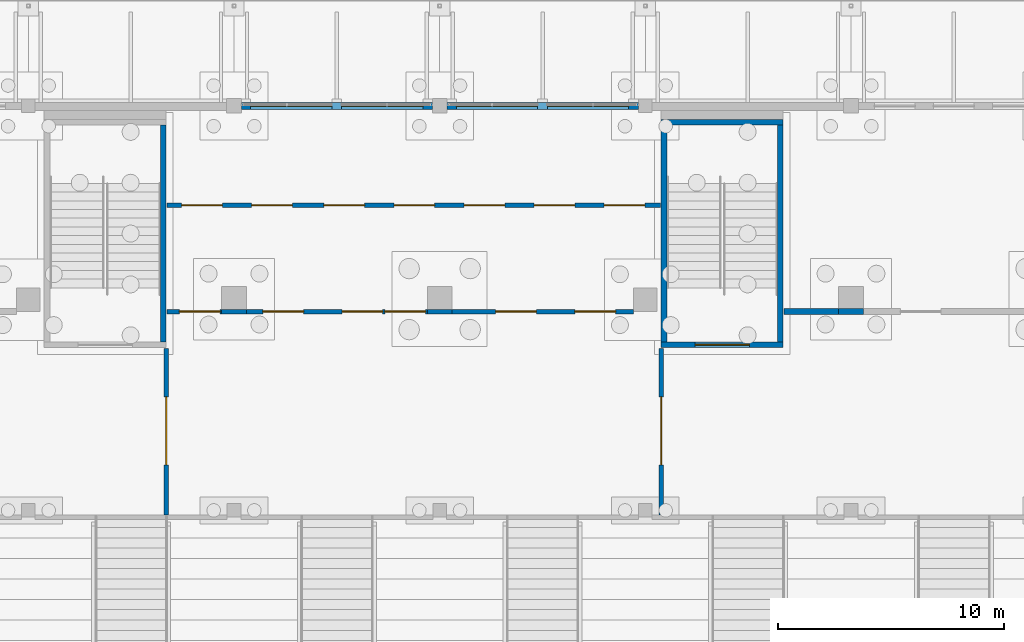
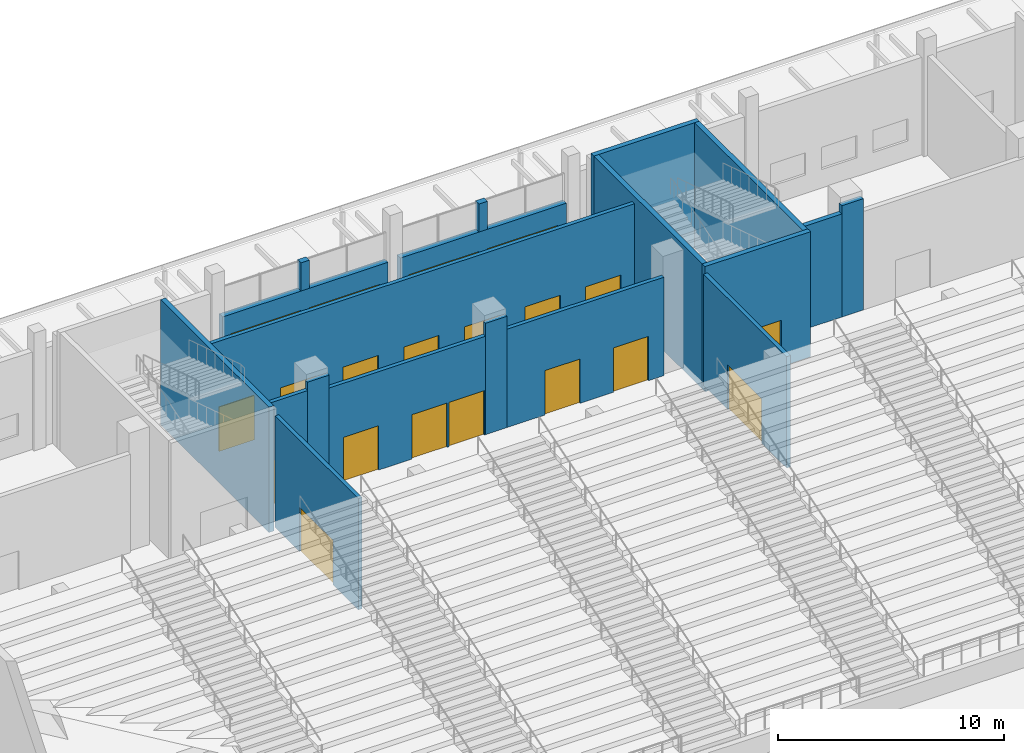
# One storey, part 81 of 129: 20 doors, 19 walls, 20 openings.
"""IFC4 building model written with IfcOpenShell, lengths in metres."""

from ifc_helpers import new_model, si_unit, direction, frame, frame_2d, origin, place, context, subcontext, project, spatial, rectangle, extrude, material, layer, layer_set, type_object, element, fill, save


model = new_model("IFC4")

# Units and contexts
model_context = context("Model", 3, precision=1e-05, world=origin(), true_north=direction((0.0, 1.0)))
body_context = subcontext(model_context, "Body", "Model", "MODEL_VIEW")
ifc_project = project(units=[si_unit("LENGTHUNIT", "METRE"), si_unit("AREAUNIT", "SQUARE_METRE"), si_unit("VOLUMEUNIT", "CUBIC_METRE"), si_unit("PLANEANGLEUNIT", "RADIAN"), si_unit("MASSUNIT", "GRAM", prefix="KILO")], contexts=[model_context])

# Site, building, storey
site_placement = place(None, origin())
site = spatial("IfcSite", under=ifc_project, at=site_placement, CompositionType="ELEMENT")
building_placement = place(site_placement, origin())
building = spatial("IfcBuilding", under=site, at=building_placement, Name="Shirokan Park Arena", CompositionType="ELEMENT")
storey_placement = place(building_placement, origin())
storey = spatial("IfcBuildingStorey", under=building, at=storey_placement, Name="L00", CompositionType="ELEMENT", Elevation=0.0)

# Wall, openings, doors
ifc_material_1 = material(Name="Board-formed concrete C40/50", Category="concrete")
ifc_layer_1 = layer(ifc_material_1, 0.1201171875, Name="Board-formed concrete C40/50")
ifc_material_2 = material(Name="Mineral wool insulation")
ifc_layer_2 = layer(ifc_material_2, 0.10009765625, Name="Mineral wool insulation")
ifc_material_3 = material(Name="Concrete C35", Category="concrete")
ifc_layer_3 = layer(ifc_material_3, 0.080078125, Name="Concrete C35")
ifc_layer_set_1 = layer_set([ifc_layer_1, ifc_layer_2, ifc_layer_3], Name="Board-formed concrete C40/50 + Mineral wool insulation + Concrete C35")
wall_type_1 = type_object("IfcWallType", Name="Board-formed concrete base wall 300", PredefinedType="SOLIDWALL", material=ifc_layer_set_1)
wall_1_placement = place(storey_placement, frame((81.60009765625, 109.199951171875, 0.0), z_axis=(0.0, 0.0, 1.0), x_axis=(-1.0, 0.0, 0.0)))
wall_1 = element("IfcWall", 1, at=wall_1_placement, inside=storey, type_object=wall_type_1, Name="North facade wall bay 8 L00", PredefinedType="SOLIDWALL", context=body_context, shape_type="SweptSolid", body=[
    extrude(rectangle(XDim=8.47509765625, YDim=0.300048828125, at=frame_2d((4.237548828125, 0.0))), origin(), (0.0, 0.0, 1.0), 3.75),
])
opening_1_placement = place(wall_1_placement, frame((4.465087890625, 0.0, 0.0)))
opening_1 = element("IfcOpeningElement", 2, at=opening_1_placement, cuts=wall_1, Name="Opening E4-3", PredefinedType="OPENING", context=body_context, shape_type="SweptSolid", body=[
    extrude(rectangle(XDim=3.60009765625, YDim=2.699951171875, at=frame_2d((1.800048828125, 1.35009765625))), frame((0.0, 0.159912109375, 0.0), z_axis=(0.0, -1.0, 0.0), x_axis=(1.0, 0.0, 0.0)), (0.0, 0.0, 1.0), 0.320068359375),
])
opening_2_placement = place(wall_1_placement, frame((0.43505859375, 0.0, 0.0)))
opening_2 = element("IfcOpeningElement", 3, at=opening_2_placement, cuts=wall_1, Name="Opening E4-4", PredefinedType="OPENING", context=body_context, shape_type="SweptSolid", body=[
    extrude(rectangle(XDim=3.60009765625, YDim=2.699951171875, at=frame_2d((1.800048828125, 1.35009765625))), frame((0.0, 0.159912109375, 0.0), z_axis=(0.0, -1.0, 0.0), x_axis=(1.0, 0.0, 0.0)), (0.0, 0.0, 1.0), 0.320068359375),
])
ifc_material_4 = material(Name="Aluminium and glass door", Category="aluminium")
door_type_1 = type_object("IfcDoorType", Name="Entrance door pair 3600x2700", OperationType="DOUBLE_DOOR_SINGLE_SWING", PredefinedType="DOOR", material=ifc_material_4)
door_1_placement = place(opening_1_placement, frame((3.60009765625, 0.0, 0.0), z_axis=(0.0, 0.0, 1.0), x_axis=(-1.0, 0.0, 0.0)))
door_1 = element("IfcDoor", 4, at=door_1_placement, inside=storey, type_object=door_type_1, Name="Main entrance E4 door 3", OperationType="DOUBLE_DOOR_SINGLE_SWING", OverallHeight=2.699951171875, OverallWidth=3.60009765625, PredefinedType="DOOR", context=body_context, shape_type="SweptSolid", body=[
    extrude(rectangle(XDim=3.60009765625, YDim=2.699951171875, at=frame_2d((1.800048828125, 1.35009765625))), frame((0.0, 0.02490234375, 0.0), z_axis=(0.0, -1.0, 0.0), x_axis=(1.0, 0.0, 0.0)), (0.0, 0.0, 1.0), 0.050048828125),
])
fill(opening_1, door_1)
door_2_placement = place(opening_2_placement, frame((3.60009765625, 0.0, 0.0), z_axis=(0.0, 0.0, 1.0), x_axis=(-1.0, 0.0, 0.0)))
door_2 = element("IfcDoor", 5, at=door_2_placement, inside=storey, type_object=door_type_1, Name="Main entrance E4 door 4", OperationType="DOUBLE_DOOR_SINGLE_SWING", OverallHeight=2.699951171875, OverallWidth=3.60009765625, PredefinedType="DOOR", context=body_context, shape_type="SweptSolid", body=[
    extrude(rectangle(XDim=3.60009765625, YDim=2.699951171875, at=frame_2d((1.800048828125, 1.35009765625))), frame((0.0, 0.02490234375, 0.0), z_axis=(0.0, -1.0, 0.0), x_axis=(1.0, 0.0, 0.0)), (0.0, 0.0, 1.0), 0.050048828125),
])
fill(opening_2, door_2)

# Wall
wall_2_placement = place(storey_placement, frame((77.56494140625, 109.199951171875, 3.75), z_axis=(0.0, 0.0, 1.0), x_axis=(-1.0, 0.0, 0.0)))
element("IfcWall", 6, at=wall_2_placement, inside=storey, type_object=wall_type_1, Name="North facade pier over the doors bay 8 L00", PredefinedType="SOLIDWALL", context=body_context, shape_type="SweptSolid", body=[
    extrude(rectangle(XDim=0.429931640625, YDim=0.300048828125, at=frame_2d((0.21484375, 0.0))), origin(), (0.0, 0.0, 1.0), 1.52001953125),
])

# Wall, openings, doors
wall_3_placement = place(storey_placement, frame((72.47509765625, 109.199951171875, 0.0), z_axis=(0.0, 0.0, 1.0), x_axis=(-1.0, 0.0, 0.0)))
wall_3 = element("IfcWall", 7, at=wall_3_placement, inside=storey, type_object=wall_type_1, Name="North facade wall bay 9 L00", PredefinedType="SOLIDWALL", context=body_context, shape_type="SweptSolid", body=[
    extrude(rectangle(XDim=8.4501953125, YDim=0.300048828125, at=frame_2d((4.22509765625, 0.0))), origin(), (0.0, 0.0, 1.0), 3.75),
])
opening_3_placement = place(wall_3_placement, frame((4.43994140625, 0.0, 0.0)))
opening_3 = element("IfcOpeningElement", 8, at=opening_3_placement, cuts=wall_3, Name="Opening E4-1", PredefinedType="OPENING", context=body_context, shape_type="SweptSolid", body=[
    extrude(rectangle(XDim=3.60009765625, YDim=2.699951171875, at=frame_2d((1.800048828125, 1.35009765625))), frame((0.0, 0.159912109375, 0.0), z_axis=(0.0, -1.0, 0.0), x_axis=(1.0, 0.0, 0.0)), (0.0, 0.0, 1.0), 0.320068359375),
])
opening_4_placement = place(wall_3_placement, frame((0.409912109375, 0.0, 0.0)))
opening_4 = element("IfcOpeningElement", 9, at=opening_4_placement, cuts=wall_3, Name="Opening E4-2", PredefinedType="OPENING", context=body_context, shape_type="SweptSolid", body=[
    extrude(rectangle(XDim=3.60009765625, YDim=2.699951171875, at=frame_2d((1.800048828125, 1.35009765625))), frame((0.0, 0.159912109375, 0.0), z_axis=(0.0, -1.0, 0.0), x_axis=(1.0, 0.0, 0.0)), (0.0, 0.0, 1.0), 0.320068359375),
])
door_3_placement = place(opening_3_placement, frame((3.60009765625, 0.0, 0.0), z_axis=(0.0, 0.0, 1.0), x_axis=(-1.0, 0.0, 0.0)))
door_3 = element("IfcDoor", 10, at=door_3_placement, inside=storey, type_object=door_type_1, Name="Main entrance E4 door 1", OperationType="DOUBLE_DOOR_SINGLE_SWING", OverallHeight=2.699951171875, OverallWidth=3.60009765625, PredefinedType="DOOR", context=body_context, shape_type="SweptSolid", body=[
    extrude(rectangle(XDim=3.60009765625, YDim=2.699951171875, at=frame_2d((1.800048828125, 1.35009765625))), frame((0.0, 0.02490234375, 0.0), z_axis=(0.0, -1.0, 0.0), x_axis=(1.0, 0.0, 0.0)), (0.0, 0.0, 1.0), 0.050048828125),
])
fill(opening_3, door_3)
door_4_placement = place(opening_4_placement, frame((3.60009765625, 0.0, 0.0), z_axis=(0.0, 0.0, 1.0), x_axis=(-1.0, 0.0, 0.0)))
door_4 = element("IfcDoor", 11, at=door_4_placement, inside=storey, type_object=door_type_1, Name="Main entrance E4 door 2", OperationType="DOUBLE_DOOR_SINGLE_SWING", OverallHeight=2.699951171875, OverallWidth=3.60009765625, PredefinedType="DOOR", context=body_context, shape_type="SweptSolid", body=[
    extrude(rectangle(XDim=3.60009765625, YDim=2.699951171875, at=frame_2d((1.800048828125, 1.35009765625))), frame((0.0, 0.02490234375, 0.0), z_axis=(0.0, -1.0, 0.0), x_axis=(1.0, 0.0, 0.0)), (0.0, 0.0, 1.0), 0.050048828125),
])
fill(opening_4, door_4)

# Walls
wall_4_placement = place(storey_placement, frame((68.465087890625, 109.199951171875, 3.75), z_axis=(0.0, 0.0, 1.0), x_axis=(-1.0, 0.0, 0.0)))
element("IfcWall", 12, at=wall_4_placement, inside=storey, type_object=wall_type_1, Name="North facade pier over the doors bay 9 L00", PredefinedType="SOLIDWALL", context=body_context, shape_type="SweptSolid", body=[
    extrude(rectangle(XDim=0.43017578125, YDim=0.300048828125, at=frame_2d((0.215087890625, 0.0))), origin(), (0.0, 0.0, 1.0), 1.52001953125),
])
ifc_material_5 = material(Name="Plaster")
ifc_layer_4 = layer(ifc_material_5, 0.014892578125, Name="Plaster")
ifc_material_6 = material(Name="Concrete blockwork", Category="masonry")
ifc_layer_5 = layer(ifc_material_6, 0.219970703125, Name="Concrete blockwork 220")
ifc_layer_6 = layer(ifc_material_5, 0.014892578125, Name="Plaster")
ifc_layer_set_2 = layer_set([ifc_layer_4, ifc_layer_5, ifc_layer_6], Name="Plaster + Concrete blockwork 220")
wall_type_2 = type_object("IfcWallType", Name="Compartment wall 250", PredefinedType="SOLIDWALL", material=ifc_layer_set_2)
wall_5_placement = place(storey_placement, frame((88.030029296875, 100.10009765625, 0.0), z_axis=(0.0, 0.0, 1.0), x_axis=(1.0, 0.0, 0.0)))
element("IfcWall", 13, at=wall_5_placement, inside=storey, type_object=wall_type_2, Name="Compartment wall 250 L00", PredefinedType="SOLIDWALL", context=body_context, shape_type="SweptSolid", body=[
    extrude(rectangle(XDim=2.419921875, YDim=0.25, at=frame_2d((1.2099609375, 0.0))), origin(), (0.0, 0.0, 1.0), 5.570068359375),
])
wall_6_placement = place(storey_placement, frame((90.449951171875, 100.10009765625, 0.0), z_axis=(0.0, 0.0, 1.0), x_axis=(1.0, 0.0, 0.0)))
element("IfcWall", 14, at=wall_6_placement, inside=storey, type_object=wall_type_2, Name="Compartment wall 250 L00", PredefinedType="SOLIDWALL", context=body_context, shape_type="SweptSolid", body=[
    extrude(rectangle(XDim=1.10009765625, YDim=0.25, at=frame_2d((0.550048828125, 0.0))), origin(), (0.0, 0.0, 1.0), 6.02001953125),
])

# Wall, opening, door
ifc_material_7 = material(Name="Gypsum board")
ifc_layer_7 = layer(ifc_material_7, 0.02490234375, Name="Gypsum board, two layers")
ifc_layer_8 = layer(ifc_material_2, 0.14990234375, Name="Mineral wool insulation")
ifc_layer_9 = layer(ifc_material_7, 0.02490234375, Name="Gypsum board, two layers")
ifc_layer_set_3 = layer_set([ifc_layer_7, ifc_layer_8, ifc_layer_9], Name="Gypsum board, two layers + Mineral wool insulation")
wall_type_3 = type_object("IfcWallType", Name="Corridor wall 200", PredefinedType="PARTITIONING", material=ifc_layer_set_3)
wall_7_placement = place(storey_placement, frame((60.699951171875, 98.469970703125, 0.0), z_axis=(0.0, 0.0, 1.0), x_axis=(0.0, -1.0, 0.0)))
wall_7 = element("IfcWall", 15, at=wall_7_placement, inside=storey, type_object=wall_type_3, Name="Corridor wall 200 L00", PredefinedType="PARTITIONING", context=body_context, shape_type="SweptSolid", body=[
    extrude(rectangle(XDim=7.369873046875, YDim=0.199951171875, at=frame_2d((3.68505859375, 0.0))), origin(), (0.0, 0.0, 1.0), 6.02001953125),
])
opening_5_placement = place(wall_7_placement, frame((2.14990234375, 0.0, 0.0)))
opening_5 = element("IfcOpeningElement", 16, at=opening_5_placement, cuts=wall_7, Name="Opening D-0127", PredefinedType="OPENING", context=body_context, shape_type="SweptSolid", body=[
    extrude(rectangle(XDim=3.0, YDim=2.39990234375, at=frame_2d((1.5, 1.199951171875))), frame((0.0, 0.10986328125, 0.0), z_axis=(0.0, -1.0, 0.0), x_axis=(1.0, 0.0, 0.0)), (0.0, 0.0, 1.0), 0.219970703125),
])
ifc_material_8 = material(Name="Glazed steel door set, fire resisting", Category="steel")
door_type_2 = type_object("IfcDoorType", Name="Concourse door 3000 x 2400", OperationType="DOUBLE_DOOR_SINGLE_SWING", PredefinedType="DOOR", material=ifc_material_8)
door_5_placement = place(opening_5_placement, origin())
door_5 = element("IfcDoor", 17, at=door_5_placement, inside=storey, type_object=door_type_2, Name="Door between Entrance Concourse E4 and Ticket Hall E4 D-0127", OperationType="DOUBLE_DOOR_SINGLE_SWING", OverallHeight=2.39990234375, OverallWidth=3.0, PredefinedType="DOOR", context=body_context, shape_type="SweptSolid", body=[
    extrude(rectangle(XDim=3.0, YDim=2.39990234375, at=frame_2d((1.5, 1.199951171875))), frame((0.0, 0.02490234375, 0.0), z_axis=(0.0, -1.0, 0.0), x_axis=(1.0, 0.0, 0.0)), (0.0, 0.0, 1.0), 0.050048828125),
])
fill(opening_5, door_5)

wall_8_placement = place(storey_placement, frame((60.72998046875, 100.10009765625, 0.0), z_axis=(0.0, 0.0, 1.0), x_axis=(1.0, 0.0, 0.0)))
wall_8 = element("IfcWall", 18, at=wall_8_placement, inside=storey, type_object=wall_type_3, Name="Corridor wall 200 L00", PredefinedType="PARTITIONING", context=body_context, shape_type="SweptSolid", body=[
    extrude(rectangle(XDim=2.419921875, YDim=0.199951171875, at=frame_2d((1.2099609375, 0.0))), origin(), (0.0, 0.0, 1.0), 5.570068359375),
])
opening_6_placement = place(wall_8_placement, frame((0.550048828125, 0.0, 0.0)))
opening_6 = element("IfcOpeningElement", 19, at=opening_6_placement, cuts=wall_8, Name="Opening D-0121", PredefinedType="OPENING", context=body_context, shape_type="SweptSolid", body=[
    extrude(rectangle(XDim=1.800048828125, YDim=2.39990234375, at=frame_2d((0.89990234375, 1.199951171875))), frame((0.0, 0.10986328125, 0.0), z_axis=(0.0, -1.0, 0.0), x_axis=(1.0, 0.0, 0.0)), (0.0, 0.0, 1.0), 0.219970703125),
])
door_type_3 = type_object("IfcDoorType", Name="Lift lobby door 1800 x 2400", OperationType="DOUBLE_DOOR_SINGLE_SWING", PredefinedType="DOOR", material=ifc_material_8)
door_6_placement = place(opening_6_placement, origin())
door_6 = element("IfcDoor", 20, at=door_6_placement, inside=storey, type_object=door_type_3, Name="Door between Entrance Concourse E4 and Security Screening Hall E4 D-0121", OperationType="DOUBLE_DOOR_SINGLE_SWING", OverallHeight=2.39990234375, OverallWidth=1.800048828125, PredefinedType="DOOR", context=body_context, shape_type="SweptSolid", body=[
    extrude(rectangle(XDim=1.800048828125, YDim=2.39990234375, at=frame_2d((0.89990234375, 1.199951171875))), frame((0.0, 0.02490234375, 0.0), z_axis=(0.0, -1.0, 0.0), x_axis=(1.0, 0.0, 0.0)), (0.0, 0.0, 1.0), 0.050048828125),
])
fill(opening_6, door_6)

# Wall, openings, doors
wall_9_placement = place(storey_placement, frame((60.72998046875, 104.800048828125, 0.0), z_axis=(0.0, 0.0, 1.0), x_axis=(1.0, 0.0, 0.0)))
wall_9 = element("IfcWall", 21, at=wall_9_placement, inside=storey, type_object=wall_type_3, Name="Corridor wall 200 L00", PredefinedType="PARTITIONING", context=body_context, shape_type="SweptSolid", body=[
    extrude(rectangle(XDim=21.840087890625, YDim=0.199951171875, at=frame_2d((10.919921875, 0.0))), origin(), (0.0, 0.0, 1.0), 6.02001953125),
])
opening_7_placement = place(wall_9_placement, frame((0.64990234375, 0.0, 0.0)))
opening_7 = element("IfcOpeningElement", 22, at=opening_7_placement, cuts=wall_9, Name="Opening D-0128", PredefinedType="OPENING", context=body_context, shape_type="SweptSolid", body=[
    extrude(rectangle(XDim=1.800048828125, YDim=2.39990234375, at=frame_2d((0.89990234375, 1.199951171875))), frame((0.0, 0.10986328125, 0.0), z_axis=(0.0, -1.0, 0.0), x_axis=(1.0, 0.0, 0.0)), (0.0, 0.0, 1.0), 0.219970703125),
])
opening_8_placement = place(wall_9_placement, frame((3.75, 0.0, 0.0)))
opening_8 = element("IfcOpeningElement", 23, at=opening_8_placement, cuts=wall_9, Name="Opening D-0129", PredefinedType="OPENING", context=body_context, shape_type="SweptSolid", body=[
    extrude(rectangle(XDim=1.800048828125, YDim=2.39990234375, at=frame_2d((0.89990234375, 1.199951171875))), frame((0.0, 0.10986328125, 0.0), z_axis=(0.0, -1.0, 0.0), x_axis=(1.0, 0.0, 0.0)), (0.0, 0.0, 1.0), 0.219970703125),
])
opening_9_placement = place(wall_9_placement, frame((6.949951171875, 0.0, 0.0)))
opening_9 = element("IfcOpeningElement", 24, at=opening_9_placement, cuts=wall_9, Name="Opening D-0130", PredefinedType="OPENING", context=body_context, shape_type="SweptSolid", body=[
    extrude(rectangle(XDim=1.800048828125, YDim=2.39990234375, at=frame_2d((0.89990234375, 1.199951171875))), frame((0.0, 0.10986328125, 0.0), z_axis=(0.0, -1.0, 0.0), x_axis=(1.0, 0.0, 0.0)), (0.0, 0.0, 1.0), 0.219970703125),
])
opening_10_placement = place(wall_9_placement, frame((10.050048828125, 0.0, 0.0)))
opening_10 = element("IfcOpeningElement", 25, at=opening_10_placement, cuts=wall_9, Name="Opening D-0131", PredefinedType="OPENING", context=body_context, shape_type="SweptSolid", body=[
    extrude(rectangle(XDim=1.800048828125, YDim=2.39990234375, at=frame_2d((0.89990234375, 1.199951171875))), frame((0.0, 0.10986328125, 0.0), z_axis=(0.0, -1.0, 0.0), x_axis=(1.0, 0.0, 0.0)), (0.0, 0.0, 1.0), 0.219970703125),
])
opening_11_placement = place(wall_9_placement, frame((13.14990234375, 0.0, 0.0)))
opening_11 = element("IfcOpeningElement", 26, at=opening_11_placement, cuts=wall_9, Name="Opening D-0132", PredefinedType="OPENING", context=body_context, shape_type="SweptSolid", body=[
    extrude(rectangle(XDim=1.800048828125, YDim=2.39990234375, at=frame_2d((0.89990234375, 1.199951171875))), frame((0.0, 0.10986328125, 0.0), z_axis=(0.0, -1.0, 0.0), x_axis=(1.0, 0.0, 0.0)), (0.0, 0.0, 1.0), 0.219970703125),
])
opening_12_placement = place(wall_9_placement, frame((16.25, 0.0, 0.0)))
opening_12 = element("IfcOpeningElement", 27, at=opening_12_placement, cuts=wall_9, Name="Opening D-0133", PredefinedType="OPENING", context=body_context, shape_type="SweptSolid", body=[
    extrude(rectangle(XDim=1.800048828125, YDim=2.39990234375, at=frame_2d((0.89990234375, 1.199951171875))), frame((0.0, 0.10986328125, 0.0), z_axis=(0.0, -1.0, 0.0), x_axis=(1.0, 0.0, 0.0)), (0.0, 0.0, 1.0), 0.219970703125),
])
opening_13_placement = place(wall_9_placement, frame((19.35009765625, 0.0, 0.0)))
opening_13 = element("IfcOpeningElement", 28, at=opening_13_placement, cuts=wall_9, Name="Opening D-0134", PredefinedType="OPENING", context=body_context, shape_type="SweptSolid", body=[
    extrude(rectangle(XDim=1.800048828125, YDim=2.39990234375, at=frame_2d((0.89990234375, 1.199951171875))), frame((0.0, 0.10986328125, 0.0), z_axis=(0.0, -1.0, 0.0), x_axis=(1.0, 0.0, 0.0)), (0.0, 0.0, 1.0), 0.219970703125),
])
door_7_placement = place(opening_7_placement, origin())
door_7 = element("IfcDoor", 29, at=door_7_placement, inside=storey, type_object=door_type_3, Name="Door between Entrance Foyer E4 and Security Screening Hall E4 D-0128", OperationType="DOUBLE_DOOR_SINGLE_SWING", OverallHeight=2.39990234375, OverallWidth=1.800048828125, PredefinedType="DOOR", context=body_context, shape_type="SweptSolid", body=[
    extrude(rectangle(XDim=1.800048828125, YDim=2.39990234375, at=frame_2d((0.89990234375, 1.199951171875))), frame((0.0, 0.02490234375, 0.0), z_axis=(0.0, -1.0, 0.0), x_axis=(1.0, 0.0, 0.0)), (0.0, 0.0, 1.0), 0.050048828125),
])
fill(opening_7, door_7)
door_8_placement = place(opening_8_placement, origin())
door_8 = element("IfcDoor", 30, at=door_8_placement, inside=storey, type_object=door_type_3, Name="Door between Entrance Foyer E4 and Security Screening Hall E4 D-0129", OperationType="DOUBLE_DOOR_SINGLE_SWING", OverallHeight=2.39990234375, OverallWidth=1.800048828125, PredefinedType="DOOR", context=body_context, shape_type="SweptSolid", body=[
    extrude(rectangle(XDim=1.800048828125, YDim=2.39990234375, at=frame_2d((0.89990234375, 1.199951171875))), frame((0.0, 0.02490234375, 0.0), z_axis=(0.0, -1.0, 0.0), x_axis=(1.0, 0.0, 0.0)), (0.0, 0.0, 1.0), 0.050048828125),
])
fill(opening_8, door_8)
door_9_placement = place(opening_9_placement, origin())
door_9 = element("IfcDoor", 31, at=door_9_placement, inside=storey, type_object=door_type_3, Name="Door between Entrance Foyer E4 and Security Screening Hall E4 D-0130", OperationType="DOUBLE_DOOR_SINGLE_SWING", OverallHeight=2.39990234375, OverallWidth=1.800048828125, PredefinedType="DOOR", context=body_context, shape_type="SweptSolid", body=[
    extrude(rectangle(XDim=1.800048828125, YDim=2.39990234375, at=frame_2d((0.89990234375, 1.199951171875))), frame((0.0, 0.02490234375, 0.0), z_axis=(0.0, -1.0, 0.0), x_axis=(1.0, 0.0, 0.0)), (0.0, 0.0, 1.0), 0.050048828125),
])
fill(opening_9, door_9)
door_10_placement = place(opening_10_placement, origin())
door_10 = element("IfcDoor", 32, at=door_10_placement, inside=storey, type_object=door_type_3, Name="Door between Entrance Foyer E4 and Security Screening Hall E4 D-0131", OperationType="DOUBLE_DOOR_SINGLE_SWING", OverallHeight=2.39990234375, OverallWidth=1.800048828125, PredefinedType="DOOR", context=body_context, shape_type="SweptSolid", body=[
    extrude(rectangle(XDim=1.800048828125, YDim=2.39990234375, at=frame_2d((0.89990234375, 1.199951171875))), frame((0.0, 0.02490234375, 0.0), z_axis=(0.0, -1.0, 0.0), x_axis=(1.0, 0.0, 0.0)), (0.0, 0.0, 1.0), 0.050048828125),
])
fill(opening_10, door_10)
door_11_placement = place(opening_11_placement, origin())
door_11 = element("IfcDoor", 33, at=door_11_placement, inside=storey, type_object=door_type_3, Name="Door between Entrance Foyer E4 and Security Screening Hall E4 D-0132", OperationType="DOUBLE_DOOR_SINGLE_SWING", OverallHeight=2.39990234375, OverallWidth=1.800048828125, PredefinedType="DOOR", context=body_context, shape_type="SweptSolid", body=[
    extrude(rectangle(XDim=1.800048828125, YDim=2.39990234375, at=frame_2d((0.89990234375, 1.199951171875))), frame((0.0, 0.02490234375, 0.0), z_axis=(0.0, -1.0, 0.0), x_axis=(1.0, 0.0, 0.0)), (0.0, 0.0, 1.0), 0.050048828125),
])
fill(opening_11, door_11)
door_12_placement = place(opening_12_placement, origin())
door_12 = element("IfcDoor", 34, at=door_12_placement, inside=storey, type_object=door_type_3, Name="Door between Entrance Foyer E4 and Security Screening Hall E4 D-0133", OperationType="DOUBLE_DOOR_SINGLE_SWING", OverallHeight=2.39990234375, OverallWidth=1.800048828125, PredefinedType="DOOR", context=body_context, shape_type="SweptSolid", body=[
    extrude(rectangle(XDim=1.800048828125, YDim=2.39990234375, at=frame_2d((0.89990234375, 1.199951171875))), frame((0.0, 0.02490234375, 0.0), z_axis=(0.0, -1.0, 0.0), x_axis=(1.0, 0.0, 0.0)), (0.0, 0.0, 1.0), 0.050048828125),
])
fill(opening_12, door_12)
door_13_placement = place(opening_13_placement, origin())
door_13 = element("IfcDoor", 35, at=door_13_placement, inside=storey, type_object=door_type_3, Name="Door between Entrance Foyer E4 and Security Screening Hall E4 D-0134", OperationType="DOUBLE_DOOR_SINGLE_SWING", OverallHeight=2.39990234375, OverallWidth=1.800048828125, PredefinedType="DOOR", context=body_context, shape_type="SweptSolid", body=[
    extrude(rectangle(XDim=1.800048828125, YDim=2.39990234375, at=frame_2d((0.89990234375, 1.199951171875))), frame((0.0, 0.02490234375, 0.0), z_axis=(0.0, -1.0, 0.0), x_axis=(1.0, 0.0, 0.0)), (0.0, 0.0, 1.0), 0.050048828125),
])
fill(opening_13, door_13)

# Wall, opening, door
wall_10_placement = place(storey_placement, frame((82.60009765625, 98.469970703125, 0.0), z_axis=(0.0, 0.0, 1.0), x_axis=(0.0, -1.0, 0.0)))
wall_10 = element("IfcWall", 36, at=wall_10_placement, inside=storey, type_object=wall_type_3, Name="Corridor wall 200 L00", PredefinedType="PARTITIONING", context=body_context, shape_type="SweptSolid", body=[
    extrude(rectangle(XDim=7.369873046875, YDim=0.199951171875, at=frame_2d((3.68505859375, 0.0))), origin(), (0.0, 0.0, 1.0), 6.02001953125),
])
opening_14_placement = place(wall_10_placement, frame((2.14990234375, 0.0, 0.0)))
opening_14 = element("IfcOpeningElement", 37, at=opening_14_placement, cuts=wall_10, Name="Opening D-0120", PredefinedType="OPENING", context=body_context, shape_type="SweptSolid", body=[
    extrude(rectangle(XDim=3.0, YDim=2.39990234375, at=frame_2d((1.5, 1.199951171875))), frame((0.0, 0.10986328125, 0.0), z_axis=(0.0, -1.0, 0.0), x_axis=(1.0, 0.0, 0.0)), (0.0, 0.0, 1.0), 0.219970703125),
])
door_14_placement = place(opening_14_placement, origin())
door_14 = element("IfcDoor", 38, at=door_14_placement, inside=storey, type_object=door_type_2, Name="Door between Cloakroom Hall E4 and Entrance Concourse E4 D-0120", OperationType="DOUBLE_DOOR_SINGLE_SWING", OverallHeight=2.39990234375, OverallWidth=3.0, PredefinedType="DOOR", context=body_context, shape_type="SweptSolid", body=[
    extrude(rectangle(XDim=3.0, YDim=2.39990234375, at=frame_2d((1.5, 1.199951171875))), frame((0.0, 0.02490234375, 0.0), z_axis=(0.0, -1.0, 0.0), x_axis=(1.0, 0.0, 0.0)), (0.0, 0.0, 1.0), 0.050048828125),
])
fill(opening_14, door_14)

# Wall
wall_11_placement = place(storey_placement, frame((63.14990234375, 100.10009765625, 0.0), z_axis=(0.0, 0.0, 1.0), x_axis=(1.0, 0.0, 0.0)))
element("IfcWall", 39, at=wall_11_placement, inside=storey, type_object=wall_type_3, Name="Corridor wall 200 L00", PredefinedType="PARTITIONING", context=body_context, shape_type="SweptSolid", body=[
    extrude(rectangle(XDim=1.10009765625, YDim=0.199951171875, at=frame_2d((0.550048828125, 0.0))), origin(), (0.0, 0.0, 1.0), 6.02001953125),
])

# Wall, openings, doors
wall_12_placement = place(storey_placement, frame((64.25, 100.10009765625, 0.0), z_axis=(0.0, 0.0, 1.0), x_axis=(1.0, 0.0, 0.0)))
wall_12 = element("IfcWall", 40, at=wall_12_placement, inside=storey, type_object=wall_type_3, Name="Corridor wall 200 L00", PredefinedType="PARTITIONING", context=body_context, shape_type="SweptSolid", body=[
    extrude(rectangle(XDim=8.0, YDim=0.199951171875, at=frame_2d((4.0, 0.0))), origin(), (0.0, 0.0, 1.0), 5.320068359375),
])
opening_15_placement = place(wall_12_placement, frame((0.72998046875, 0.0, 0.0)))
opening_15 = element("IfcOpeningElement", 41, at=opening_15_placement, cuts=wall_12, Name="Opening D-0122", PredefinedType="OPENING", context=body_context, shape_type="SweptSolid", body=[
    extrude(rectangle(XDim=1.800048828125, YDim=2.39990234375, at=frame_2d((0.89990234375, 1.199951171875))), frame((0.0, 0.10986328125, 0.0), z_axis=(0.0, -1.0, 0.0), x_axis=(1.0, 0.0, 0.0)), (0.0, 0.0, 1.0), 0.219970703125),
])
opening_16_placement = place(wall_12_placement, frame((4.22998046875, 0.0, 0.0)))
opening_16 = element("IfcOpeningElement", 42, at=opening_16_placement, cuts=wall_12, Name="Opening D-0123", PredefinedType="OPENING", context=body_context, shape_type="SweptSolid", body=[
    extrude(rectangle(XDim=1.800048828125, YDim=2.39990234375, at=frame_2d((0.89990234375, 1.199951171875))), frame((0.0, 0.10986328125, 0.0), z_axis=(0.0, -1.0, 0.0), x_axis=(1.0, 0.0, 0.0)), (0.0, 0.0, 1.0), 0.219970703125),
])
opening_17_placement = place(wall_12_placement, frame((6.1298828125, 0.0, 0.0)))
opening_17 = element("IfcOpeningElement", 43, at=opening_17_placement, cuts=wall_12, Name="Opening D-0124", PredefinedType="OPENING", context=body_context, shape_type="SweptSolid", body=[
    extrude(rectangle(XDim=1.800048828125, YDim=2.39990234375, at=frame_2d((0.89990234375, 1.199951171875))), frame((0.0, 0.10986328125, 0.0), z_axis=(0.0, -1.0, 0.0), x_axis=(1.0, 0.0, 0.0)), (0.0, 0.0, 1.0), 0.219970703125),
])
door_15_placement = place(opening_15_placement, origin())
door_15 = element("IfcDoor", 44, at=door_15_placement, inside=storey, type_object=door_type_3, Name="Door between Entrance Concourse E4 and Security Screening Hall E4 D-0122", OperationType="DOUBLE_DOOR_SINGLE_SWING", OverallHeight=2.39990234375, OverallWidth=1.800048828125, PredefinedType="DOOR", context=body_context, shape_type="SweptSolid", body=[
    extrude(rectangle(XDim=1.800048828125, YDim=2.39990234375, at=frame_2d((0.89990234375, 1.199951171875))), frame((0.0, 0.02490234375, 0.0), z_axis=(0.0, -1.0, 0.0), x_axis=(1.0, 0.0, 0.0)), (0.0, 0.0, 1.0), 0.050048828125),
])
fill(opening_15, door_15)
door_16_placement = place(opening_16_placement, origin())
door_16 = element("IfcDoor", 45, at=door_16_placement, inside=storey, type_object=door_type_3, Name="Door between Entrance Concourse E4 and Security Screening Hall E4 D-0123", OperationType="DOUBLE_DOOR_SINGLE_SWING", OverallHeight=2.39990234375, OverallWidth=1.800048828125, PredefinedType="DOOR", context=body_context, shape_type="SweptSolid", body=[
    extrude(rectangle(XDim=1.800048828125, YDim=2.39990234375, at=frame_2d((0.89990234375, 1.199951171875))), frame((0.0, 0.02490234375, 0.0), z_axis=(0.0, -1.0, 0.0), x_axis=(1.0, 0.0, 0.0)), (0.0, 0.0, 1.0), 0.050048828125),
])
fill(opening_16, door_16)
door_17_placement = place(opening_17_placement, origin())
door_17 = element("IfcDoor", 46, at=door_17_placement, inside=storey, type_object=door_type_3, Name="Door between Entrance Concourse E4 and Security Screening Hall E4 D-0124", OperationType="DOUBLE_DOOR_SINGLE_SWING", OverallHeight=2.39990234375, OverallWidth=1.800048828125, PredefinedType="DOOR", context=body_context, shape_type="SweptSolid", body=[
    extrude(rectangle(XDim=1.800048828125, YDim=2.39990234375, at=frame_2d((0.89990234375, 1.199951171875))), frame((0.0, 0.02490234375, 0.0), z_axis=(0.0, -1.0, 0.0), x_axis=(1.0, 0.0, 0.0)), (0.0, 0.0, 1.0), 0.050048828125),
])
fill(opening_17, door_17)

# Wall
wall_13_placement = place(storey_placement, frame((72.25, 100.10009765625, 0.0), z_axis=(0.0, 0.0, 1.0), x_axis=(1.0, 0.0, 0.0)))
element("IfcWall", 47, at=wall_13_placement, inside=storey, type_object=wall_type_3, Name="Corridor wall 200 L00", PredefinedType="PARTITIONING", context=body_context, shape_type="SweptSolid", body=[
    extrude(rectangle(XDim=1.10009765625, YDim=0.199951171875, at=frame_2d((0.550048828125, 0.0))), origin(), (0.0, 0.0, 1.0), 6.02001953125),
])

# Wall, openings, doors
wall_14_placement = place(storey_placement, frame((73.35009765625, 100.10009765625, 0.0), z_axis=(0.0, 0.0, 1.0), x_axis=(1.0, 0.0, 0.0)))
wall_14 = element("IfcWall", 48, at=wall_14_placement, inside=storey, type_object=wall_type_3, Name="Corridor wall 200 L00", PredefinedType="PARTITIONING", context=body_context, shape_type="SweptSolid", body=[
    extrude(rectangle(XDim=8.02490234375, YDim=0.199951171875, at=frame_2d((4.012451171875, 0.0))), origin(), (0.0, 0.0, 1.0), 5.320068359375),
])
opening_18_placement = place(wall_14_placement, frame((1.929931640625, 0.0, 0.0)))
opening_18 = element("IfcOpeningElement", 49, at=opening_18_placement, cuts=wall_14, Name="Opening D-0125", PredefinedType="OPENING", context=body_context, shape_type="SweptSolid", body=[
    extrude(rectangle(XDim=1.800048828125, YDim=2.39990234375, at=frame_2d((0.89990234375, 1.199951171875))), frame((0.0, 0.10986328125, 0.0), z_axis=(0.0, -1.0, 0.0), x_axis=(1.0, 0.0, 0.0)), (0.0, 0.0, 1.0), 0.219970703125),
])
opening_19_placement = place(wall_14_placement, frame((5.429931640625, 0.0, 0.0)))
opening_19 = element("IfcOpeningElement", 50, at=opening_19_placement, cuts=wall_14, Name="Opening D-0126", PredefinedType="OPENING", context=body_context, shape_type="SweptSolid", body=[
    extrude(rectangle(XDim=1.800048828125, YDim=2.39990234375, at=frame_2d((0.89990234375, 1.199951171875))), frame((0.0, 0.10986328125, 0.0), z_axis=(0.0, -1.0, 0.0), x_axis=(1.0, 0.0, 0.0)), (0.0, 0.0, 1.0), 0.219970703125),
])
door_18_placement = place(opening_18_placement, origin())
door_18 = element("IfcDoor", 51, at=door_18_placement, inside=storey, type_object=door_type_3, Name="Door between Entrance Concourse E4 and Security Screening Hall E4 D-0125", OperationType="DOUBLE_DOOR_SINGLE_SWING", OverallHeight=2.39990234375, OverallWidth=1.800048828125, PredefinedType="DOOR", context=body_context, shape_type="SweptSolid", body=[
    extrude(rectangle(XDim=1.800048828125, YDim=2.39990234375, at=frame_2d((0.89990234375, 1.199951171875))), frame((0.0, 0.02490234375, 0.0), z_axis=(0.0, -1.0, 0.0), x_axis=(1.0, 0.0, 0.0)), (0.0, 0.0, 1.0), 0.050048828125),
])
fill(opening_18, door_18)
door_19_placement = place(opening_19_placement, origin())
door_19 = element("IfcDoor", 52, at=door_19_placement, inside=storey, type_object=door_type_3, Name="Door between Entrance Concourse E4 and Security Screening Hall E4 D-0126", OperationType="DOUBLE_DOOR_SINGLE_SWING", OverallHeight=2.39990234375, OverallWidth=1.800048828125, PredefinedType="DOOR", context=body_context, shape_type="SweptSolid", body=[
    extrude(rectangle(XDim=1.800048828125, YDim=2.39990234375, at=frame_2d((0.89990234375, 1.199951171875))), frame((0.0, 0.02490234375, 0.0), z_axis=(0.0, -1.0, 0.0), x_axis=(1.0, 0.0, 0.0)), (0.0, 0.0, 1.0), 0.050048828125),
])
fill(opening_19, door_19)

# Wall
ifc_material_9 = material(Name="Concrete C40/50", Category="concrete")
ifc_layer_10 = layer(ifc_material_9, 0.25)
ifc_layer_set_4 = layer_set([ifc_layer_10], Name="Concrete C40/50 250 mm")
wall_type_4 = type_object("IfcWallType", Name="RC shear wall 250", PredefinedType="SHEAR", material=ifc_layer_set_4)
wall_15_placement = place(storey_placement, frame((60.574951171875, 108.35009765625, -0.39990234375), z_axis=(0.0, 0.0, 1.0), x_axis=(0.0, -1.0, 0.0)))
element("IfcWall", 53, at=wall_15_placement, inside=storey, type_object=wall_type_4, Name="Shaft wall Entrance Stair E4.1 E L00", PredefinedType="SHEAR", context=body_context, shape_type="SweptSolid", body=[
    extrude(rectangle(XDim=9.60009765625, YDim=0.25, at=frame_2d((4.800048828125, 0.0))), origin(), (0.0, 0.0, 1.0), 6.77001953125),
])

# Wall, opening, door
wall_16_placement = place(storey_placement, frame((88.0, 98.625, -0.39990234375), z_axis=(0.0, 0.0, 1.0), x_axis=(-1.0, 0.0, 0.0)))
wall_16 = element("IfcWall", 54, at=wall_16_placement, inside=storey, type_object=wall_type_4, Name="Shaft wall Entrance Stair E4.2 S L00", PredefinedType="SHEAR", context=body_context, shape_type="SweptSolid", body=[
    extrude(rectangle(XDim=5.39990234375, YDim=0.25, at=frame_2d((2.699951171875, 0.0))), origin(), (0.0, 0.0, 1.0), 6.77001953125),
])
opening_20_placement = place(wall_16_placement, frame((1.5, 0.0, 0.39990234375)))
opening_20 = element("IfcOpeningElement", 55, at=opening_20_placement, cuts=wall_16, Name="Opening D-0195", PredefinedType="OPENING", context=body_context, shape_type="SweptSolid", body=[
    extrude(rectangle(XDim=2.39990234375, YDim=2.10009765625, at=frame_2d((1.199951171875, 1.050048828125))), frame((0.0, 0.135009765625, 0.0), z_axis=(0.0, -1.0, 0.0), x_axis=(1.0, 0.0, 0.0)), (0.0, 0.0, 1.0), 0.27001953125),
])
ifc_material_10 = material(Name="Steel door set, fire resisting", Category="steel")
door_type_4 = type_object("IfcDoorType", Name="Stair door 2400 x 2100", OperationType="DOUBLE_DOOR_SINGLE_SWING", PredefinedType="DOOR", material=ifc_material_10)
door_20_placement = place(opening_20_placement, origin())
door_20 = element("IfcDoor", 56, at=door_20_placement, inside=storey, type_object=door_type_4, Name="Stair door Entrance Stair E4.2 D-0195", OperationType="DOUBLE_DOOR_SINGLE_SWING", OverallHeight=2.10009765625, OverallWidth=2.39990234375, PredefinedType="DOOR", context=body_context, shape_type="SweptSolid", body=[
    extrude(rectangle(XDim=2.39990234375, YDim=2.10009765625, at=frame_2d((1.199951171875, 1.050048828125))), frame((0.0, 0.02490234375, 0.0), z_axis=(0.0, -1.0, 0.0), x_axis=(1.0, 0.0, 0.0)), (0.0, 0.0, 1.0), 0.050048828125),
])
fill(opening_20, door_20)

# Walls
wall_17_placement = place(storey_placement, frame((88.0, 108.47509765625, -0.39990234375), z_axis=(0.0, 0.0, 1.0), x_axis=(-1.0, 0.0, 0.0)))
element("IfcWall", 57, at=wall_17_placement, inside=storey, type_object=wall_type_4, Name="Shaft wall Entrance Stair E4.2 N L00", PredefinedType="SHEAR", context=body_context, shape_type="SweptSolid", body=[
    extrude(rectangle(XDim=5.39990234375, YDim=0.25, at=frame_2d((2.699951171875, 0.0))), origin(), (0.0, 0.0, 1.0), 6.77001953125),
])
for number, where, z_axis, x_axis, name in (
    (58, (82.72509765625, 108.35009765625, -0.39990234375), (0.0, 0.0, 1.0), (0.0, -1.0, 0.0), "Shaft wall Entrance Stair E4.2 W L00"),
    (59, (87.875, 108.35009765625, -0.39990234375), (0.0, 0.0, 1.0), (0.0, -1.0, 0.0), "Shaft wall Entrance Stair E4.2 E L00"),
):
    element("IfcWall", number, at=place(storey_placement, frame(where, z_axis=z_axis, x_axis=x_axis)), inside=storey, type_object=wall_type_4, Name=name, PredefinedType="SHEAR", context=body_context, shape_type="SweptSolid", body=[
        extrude(rectangle(XDim=9.60009765625, YDim=0.25, at=frame_2d((4.800048828125, 0.0))), origin(), (0.0, 0.0, 1.0), 6.77001953125),
    ])

save(model, "model.ifc")
